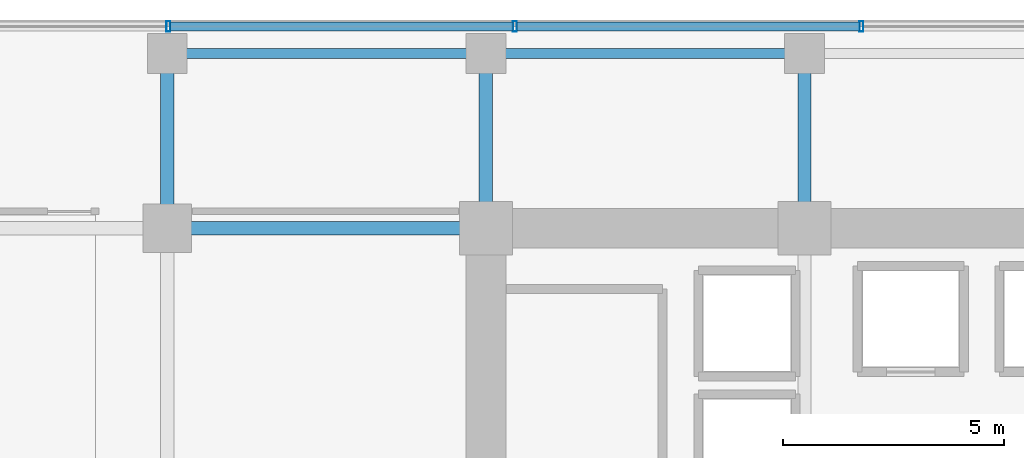
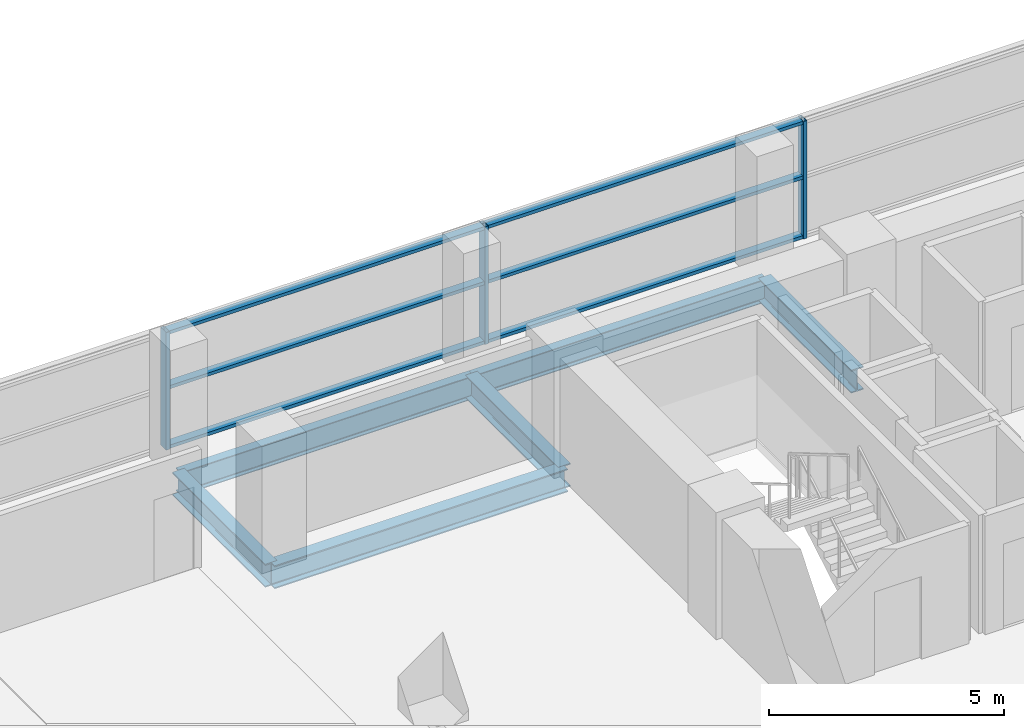
# One storey, part 17 of 30: 9 members, 6 beams, 1 element without a shape of its own.
"""IFC4 building model written with IfcOpenShell, lengths in metres."""

from ifc_helpers import new_model, si_unit, direction, frame, origin, origin_2d, place, context, subcontext, project, spatial, hollow_rectangle, i_section, extrude, source, transform, mapped, material, layer, layer_set, material_profile, profile_set, type_object, element, aggregate, save


model = new_model("IFC4")

# Units and contexts
model_context = context("Model", 3, precision=1e-05, world=origin(), true_north=direction((0.0, 1.0)))
body_context = subcontext(model_context, "Body", "Model", "MODEL_VIEW")
ifc_project = project(units=[si_unit("LENGTHUNIT", "METRE"), si_unit("AREAUNIT", "SQUARE_METRE"), si_unit("VOLUMEUNIT", "CUBIC_METRE"), si_unit("PLANEANGLEUNIT", "RADIAN"), si_unit("MASSUNIT", "GRAM", prefix="KILO")], contexts=[model_context])

# Site, building, storey
site_placement = place(None, origin())
site = spatial("IfcSite", under=ifc_project, at=site_placement, CompositionType="ELEMENT")
building_placement = place(site_placement, origin())
building = spatial("IfcBuilding", under=site, at=building_placement, Name="Zarnakvel Exchange Tower", CompositionType="ELEMENT")
storey_placement = place(building_placement, frame((0.0, 0.0, 50.5)))
storey = spatial("IfcBuildingStorey", under=building, at=storey_placement, Name="L13", CompositionType="ELEMENT", Elevation=50.5)

# Beams
ifc_material_1 = material(Name="Steel S355", Category="steel")
ifc_material_profile_1 = material_profile(ifc_material_1, i_section(OverallWidth=0.300048828125, OverallDepth=0.60009765625, WebThickness=0.015380859375, FlangeThickness=0.030029296875, FilletRadius=0.027099609375, at=origin_2d()))
ifc_profile_set_1 = profile_set([ifc_material_profile_1], Name="Steel S355")
beam_type_1 = type_object("IfcBeamType", Name="G-04", PredefinedType="BEAM", material=ifc_profile_set_1)
beam_1_placement = place(storey_placement, frame((-21.60009765625, 13.5, -0.52490234375), z_axis=(1.0, 0.0, 0.0), x_axis=(0.0, 1.0, 0.0)))
element("IfcBeam", 1, at=beam_1_placement, inside=storey, type_object=beam_type_1, Name="L13 Tower E-W Frame Beam", PredefinedType="BEAM", context=body_context, shape_type="SweptSolid", body=[
    extrude(i_section(OverallWidth=0.300048828125, OverallDepth=0.60009765625, WebThickness=0.015380859375, FlangeThickness=0.030029296875, FilletRadius=0.027099609375, at=origin_2d()), origin(), (0.0, 0.0, 1.0), 7.2001953125),
])
for number, where, z_axis, x_axis, name in (
    (2, (-21.60009765625, 13.5, -0.52490234375), (0.0, 1.0, 0.0), (-1.0, 0.0, 0.0), "L13 Tower N-S Frame Beam"),
    (3, (-14.39990234375, 13.5, -0.52490234375), (0.0, 1.0, 0.0), (-1.0, 0.0, 0.0), "L13 Tower N-S Frame Beam"),
    (4, (-7.199951171875, 13.5, -0.52490234375), (0.0, 1.0, 0.0), (-1.0, 0.0, 0.0), "L13 Tower N-S Frame Beam"),
):
    element("IfcBeam", number, at=place(storey_placement, frame(where, z_axis=z_axis, x_axis=x_axis)), inside=storey, type_object=beam_type_1, Name=name, PredefinedType="BEAM", context=body_context, shape_type="SweptSolid", body=[
        extrude(i_section(OverallWidth=0.300048828125, OverallDepth=0.60009765625, WebThickness=0.015380859375, FlangeThickness=0.030029296875, FilletRadius=0.027099609375, at=origin_2d()), origin(), (0.0, 0.0, 1.0), 3.949951171875),
    ])
ifc_material_profile_2 = material_profile(ifc_material_1, i_section(OverallWidth=0.219970703125, OverallDepth=0.60009765625, WebThickness=0.011962890625, FlangeThickness=0.01904296875, FilletRadius=0.02392578125, at=origin_2d()))
ifc_profile_set_2 = profile_set([ifc_material_profile_2], Name="Steel S355")
beam_type_2 = type_object("IfcBeamType", Name="SP-01", PredefinedType="SPANDREL", material=ifc_profile_set_2)
beam_2_placement = place(storey_placement, frame((-21.60009765625, 17.449951171875, -0.52490234375), z_axis=(1.0, 0.0, 0.0), x_axis=(0.0, 1.0, 0.0)))
element("IfcBeam", 5, at=beam_2_placement, inside=storey, type_object=beam_type_2, Name="L13 Tower E-W Frame Beam", PredefinedType="SPANDREL", context=body_context, shape_type="SweptSolid", body=[
    extrude(i_section(OverallWidth=0.219970703125, OverallDepth=0.60009765625, WebThickness=0.011962890625, FlangeThickness=0.01904296875, FilletRadius=0.02392578125, at=origin_2d()), origin(), (0.0, 0.0, 1.0), 7.2001953125),
])
beam_3_placement = place(storey_placement, frame((-14.39990234375, 17.449951171875, -0.52490234375), z_axis=(1.0, 0.0, 0.0), x_axis=(0.0, 1.0, 0.0)))
element("IfcBeam", 6, at=beam_3_placement, inside=storey, type_object=beam_type_2, Name="L13 Tower E-W Frame Beam", PredefinedType="SPANDREL", context=body_context, shape_type="SweptSolid", body=[
    extrude(i_section(OverallWidth=0.219970703125, OverallDepth=0.60009765625, WebThickness=0.011962890625, FlangeThickness=0.01904296875, FilletRadius=0.02392578125, at=origin_2d()), origin(), (0.0, 0.0, 1.0), 7.199951171875),
])

# Curtain wall, members
ifc_material_2 = material(Name="Architectural Bronze Anodised Aluminium", Category="aluminium")
ifc_layer = layer(ifc_material_2, 0.239990234375)
ifc_layer_set = layer_set([ifc_layer], Name="Architectural Bronze Anodised Aluminium")
curtain_wall_type = type_object("IfcCurtainWallType", Name="CW-02", PredefinedType="NOTDEFINED", material=ifc_layer_set)
curtain_wall_placement = place(storey_placement, origin())
curtain_wall = element("IfcCurtainWall", 7, at=curtain_wall_placement, inside=storey, type_object=curtain_wall_type, Name="L13 Curtain Wall CW-L13-N1 (CW-02)", PredefinedType="NOTDEFINED")
ifc_material_profile_3 = material_profile(ifc_material_2, hollow_rectangle(XDim=0.199951171875, YDim=0.0849609375, WallThickness=0.0048828125, at=origin_2d()))
ifc_profile_set_3 = profile_set([ifc_material_profile_3], Name="Architectural Bronze Anodised Aluminium")
member_type_1 = type_object("IfcMemberType", Name="CWT-02", PredefinedType="USERDEFINED", material=ifc_profile_set_3)
shared_shape_1 = source(origin(), body_context, "Body", "SweptSolid", [
    extrude(hollow_rectangle(XDim=0.199951171875, YDim=0.0849609375, WallThickness=0.0048828125, at=origin_2d()), origin(), (0.0, 0.0, 1.0), 7.738525390625),
])
member_1_placement = place(storey_placement, frame((-21.5263671875, 18.06005859375, 0.04248046875), z_axis=(1.0, 0.0, 0.0), x_axis=(0.0, 1.0, 0.0)))
member_1 = element("IfcMember", 8, at=member_1_placement, type_object=member_type_1, Name="CW-02 transom 2.1", ObjectType="TRANSOM", PredefinedType="USERDEFINED", context=body_context, shape_type="MappedRepresentation", body=[
    mapped(shared_shape_1, transform((0.0, 0.0, 0.0), x_axis=(1.0, 0.0, 0.0), y_axis=(0.0, 1.0, 0.0), z_axis=(0.0, 0.0, 1.0), scale=1.0)),
])
member_2_placement = place(storey_placement, frame((-21.5263671875, 18.06005859375, 1.588623046875), z_axis=(1.0, 0.0, 0.0), x_axis=(0.0, 1.0, 0.0)))
member_2 = element("IfcMember", 9, at=member_2_placement, type_object=member_type_1, Name="CW-02 transom 2.2", ObjectType="TRANSOM", PredefinedType="USERDEFINED", context=body_context, shape_type="MappedRepresentation", body=[
    mapped(shared_shape_1, transform((0.0, 0.0, 0.0), x_axis=(1.0, 0.0, 0.0), y_axis=(0.0, 1.0, 0.0), z_axis=(0.0, 0.0, 1.0), scale=1.0)),
])
member_3_placement = place(storey_placement, frame((-21.5263671875, 18.06005859375, 3.012451171875), z_axis=(1.0, 0.0, 0.0), x_axis=(0.0, 1.0, 0.0)))
member_3 = element("IfcMember", 10, at=member_3_placement, type_object=member_type_1, Name="CW-02 transom 2.3", ObjectType="TRANSOM", PredefinedType="USERDEFINED", context=body_context, shape_type="MappedRepresentation", body=[
    mapped(shared_shape_1, transform((0.0, 0.0, 0.0), x_axis=(1.0, 0.0, 0.0), y_axis=(0.0, 1.0, 0.0), z_axis=(0.0, 0.0, 1.0), scale=1.0)),
])
member_4_placement = place(storey_placement, frame((-13.69775390625, 18.06005859375, 0.04248046875), z_axis=(1.0, 0.0, 0.0), x_axis=(0.0, 1.0, 0.0)))
member_4 = element("IfcMember", 11, at=member_4_placement, type_object=member_type_1, Name="CW-02 transom 3.1", ObjectType="TRANSOM", PredefinedType="USERDEFINED", context=body_context, shape_type="MappedRepresentation", body=[
    mapped(shared_shape_1, transform((0.0, 0.0, 0.0), x_axis=(1.0, 0.0, 0.0), y_axis=(0.0, 1.0, 0.0), z_axis=(0.0, 0.0, 1.0), scale=1.0)),
])
member_5_placement = place(storey_placement, frame((-13.69775390625, 18.06005859375, 1.588623046875), z_axis=(1.0, 0.0, 0.0), x_axis=(0.0, 1.0, 0.0)))
member_5 = element("IfcMember", 12, at=member_5_placement, type_object=member_type_1, Name="CW-02 transom 3.2", ObjectType="TRANSOM", PredefinedType="USERDEFINED", context=body_context, shape_type="MappedRepresentation", body=[
    mapped(shared_shape_1, transform((0.0, 0.0, 0.0), x_axis=(1.0, 0.0, 0.0), y_axis=(0.0, 1.0, 0.0), z_axis=(0.0, 0.0, 1.0), scale=1.0)),
])
member_6_placement = place(storey_placement, frame((-13.69775390625, 18.06005859375, 3.012451171875), z_axis=(1.0, 0.0, 0.0), x_axis=(0.0, 1.0, 0.0)))
member_6 = element("IfcMember", 13, at=member_6_placement, type_object=member_type_1, Name="CW-02 transom 3.3", ObjectType="TRANSOM", PredefinedType="USERDEFINED", context=body_context, shape_type="MappedRepresentation", body=[
    mapped(shared_shape_1, transform((0.0, 0.0, 0.0), x_axis=(1.0, 0.0, 0.0), y_axis=(0.0, 1.0, 0.0), z_axis=(0.0, 0.0, 1.0), scale=1.0)),
])
ifc_material_profile_4 = material_profile(ifc_material_2, hollow_rectangle(XDim=0.239990234375, YDim=0.090087890625, WallThickness=0.006103515625, at=origin_2d()))
ifc_profile_set_4 = profile_set([ifc_material_profile_4], Name="Architectural Bronze Anodised Aluminium")
member_type_2 = type_object("IfcMemberType", Name="CWM-02", PredefinedType="MULLION", material=ifc_profile_set_4)
shared_shape_2 = source(origin(), body_context, "Body", "SweptSolid", [
    extrude(hollow_rectangle(XDim=0.239990234375, YDim=0.090087890625, WallThickness=0.006103515625, at=origin_2d()), origin(), (0.0, 0.0, 1.0), 3.054931640625),
])
member_7_placement = place(storey_placement, frame((-21.571533203125, 18.06005859375, 0.0), z_axis=(0.0, 0.0, 1.0), x_axis=(0.0, 1.0, 0.0)))
member_7 = element("IfcMember", 14, at=member_7_placement, type_object=member_type_2, Name="CW-02 mullion 2", PredefinedType="MULLION", context=body_context, shape_type="MappedRepresentation", body=[
    mapped(shared_shape_2, transform((0.0, 0.0, 0.0), x_axis=(1.0, 0.0, 0.0), y_axis=(0.0, 1.0, 0.0), z_axis=(0.0, 0.0, 1.0), scale=1.0)),
])
member_8_placement = place(storey_placement, frame((-13.742919921875, 18.06005859375, 0.0), z_axis=(0.0, 0.0, 1.0), x_axis=(0.0, 1.0, 0.0)))
member_8 = element("IfcMember", 15, at=member_8_placement, type_object=member_type_2, Name="CW-02 mullion 3", PredefinedType="MULLION", context=body_context, shape_type="MappedRepresentation", body=[
    mapped(shared_shape_2, transform((0.0, 0.0, 0.0), x_axis=(1.0, 0.0, 0.0), y_axis=(0.0, 1.0, 0.0), z_axis=(0.0, 0.0, 1.0), scale=1.0)),
])
member_9_placement = place(storey_placement, frame((-5.914306640625, 18.06005859375, 0.0), z_axis=(0.0, 0.0, 1.0), x_axis=(0.0, 1.0, 0.0)))
member_9 = element("IfcMember", 16, at=member_9_placement, type_object=member_type_2, Name="CW-02 mullion 4", PredefinedType="MULLION", context=body_context, shape_type="MappedRepresentation", body=[
    mapped(shared_shape_2, transform((0.0, 0.0, 0.0), x_axis=(1.0, 0.0, 0.0), y_axis=(0.0, 1.0, 0.0), z_axis=(0.0, 0.0, 1.0), scale=1.0)),
])
aggregate(curtain_wall, [member_7, member_8, member_9, member_1, member_2, member_3, member_4, member_5, member_6])

save(model, "model.ifc")
